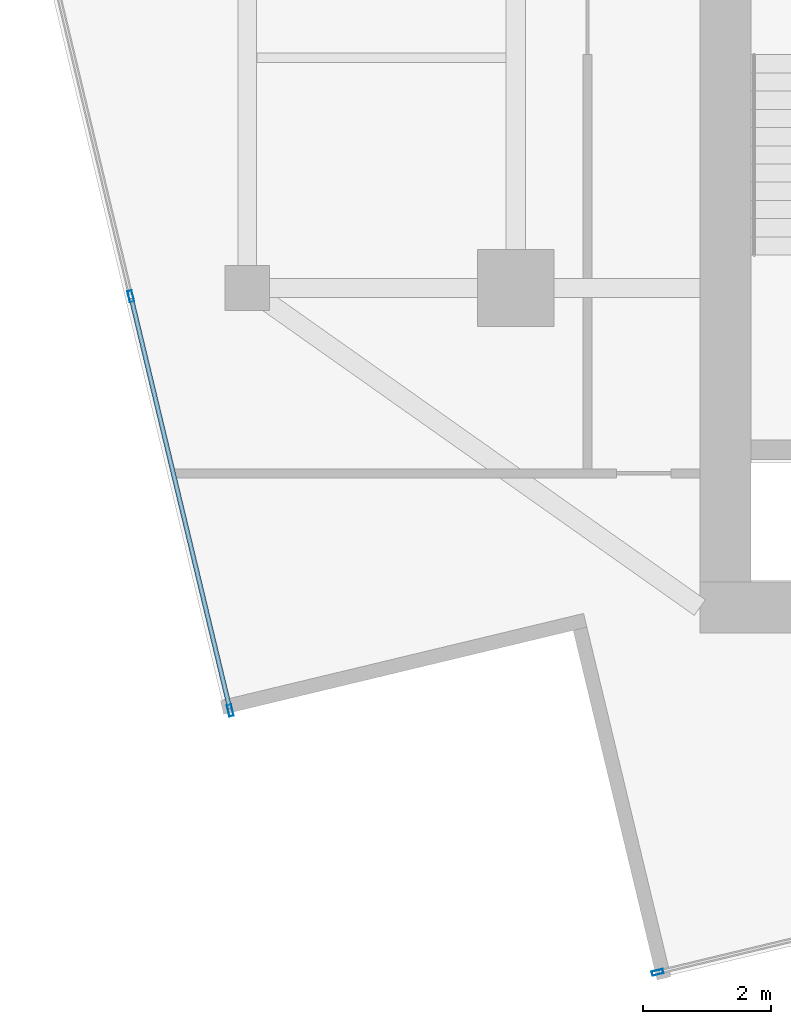
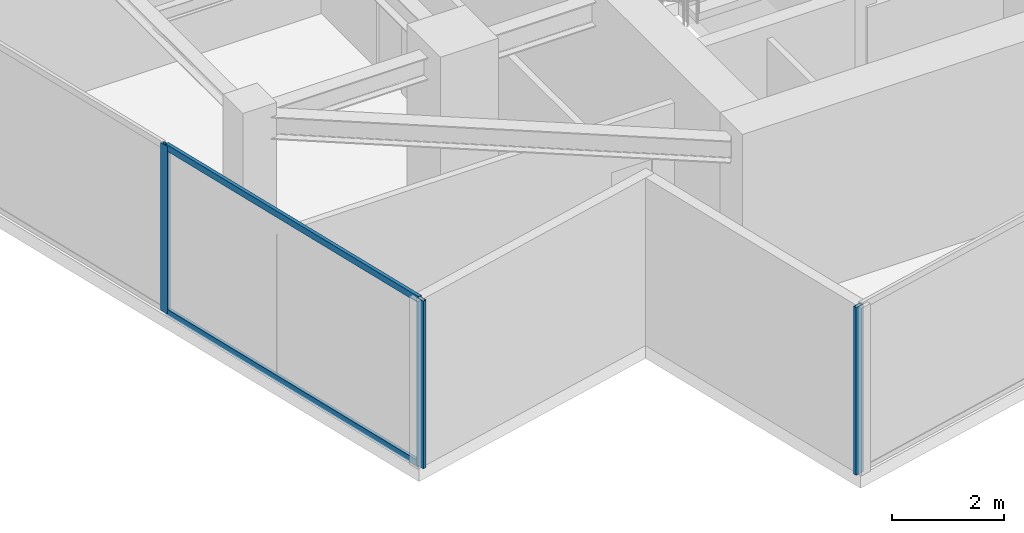
# One storey, part 2 of 22: 5 members, 2 elements without a shape of their own.
"""IFC4 building model written with IfcOpenShell, lengths in metres."""

import ifcopenshell
import ifcopenshell.guid

model = None  # the IFC model being written
_history = None  # IfcOwnerHistory: only IFC2X3 demands one
_inside = {}  # id of a spatial element -> (the spatial element, [elements in it])
_under = {}  # id of a project, library or spatial element -> (it, [spatial elements below it])
_declared = {}  # id of a project -> (the project, [libraries it declares])
_typed = {}  # id of a type object -> (the type object, [elements of that type])
_made_of = {}  # id of a material, layer set ... -> (it, [elements and type objects made of it])


def new_model(schema):
    """Start an empty IFC model of exactly this schema.

    Asked for "IFC4X3", IfcOpenShell would pick the latest addendum, in which some entities
    have other attributes; the version numbers below select the first issue.
    IFC2X3 requires an IfcOwnerHistory on every rooted entity: one is made here for all.
    """
    global model, _history
    if schema == "IFC4X3":
        model = ifcopenshell.file(schema_version=(4, 3, 0, 0))
    else:
        model = ifcopenshell.file(schema=schema)
    _inside.clear()
    _under.clear()
    _declared.clear()
    _typed.clear()
    _made_of.clear()
    _history = None
    if model.schema == "IFC2X3":
        org = make("IfcOrganization", Name="unknown")
        user = make(
            "IfcPersonAndOrganization",
            ThePerson=make("IfcPerson", FamilyName="unknown"),
            TheOrganization=org,
        )
        app = make(
            "IfcApplication",
            ApplicationDeveloper=org,
            Version="unknown",
            ApplicationFullName="unknown",
            ApplicationIdentifier="unknown",
        )
        _history = make(
            "IfcOwnerHistory",
            OwningUser=user,
            OwningApplication=app,
            ChangeAction="ADDED",
            CreationDate=0,
        )
    return model


def make(cls, **values):
    """One entity of the class cls with the attributes given. An attribute that is None is left unset."""
    return model.create_entity(
        cls, **{name: value for name, value in values.items() if value is not None}
    )


def rooted(cls, **values):
    """An entity with a GlobalId (a new one), such as an element, a storey or a relation."""
    return make(cls, GlobalId=ifcopenshell.guid.new(), OwnerHistory=_history, **values)


def si_unit(unit_type, name, prefix=None):
    """IfcSIUnit, for example si_unit("LENGTHUNIT", "METRE", prefix="MILLI")."""
    return make("IfcSIUnit", UnitType=unit_type, Prefix=prefix, Name=name)


def assignment(units):
    """IfcUnitAssignment: the units of a project."""
    return None if units is None else make("IfcUnitAssignment", Units=units)


def point(xyz):
    """IfcCartesianPoint."""
    return None if xyz is None else make("IfcCartesianPoint", Coordinates=xyz)


def direction(xyz):
    """IfcDirection."""
    return None if xyz is None else make("IfcDirection", DirectionRatios=xyz)


def frame(location, z_axis=None, x_axis=None):
    """IfcAxis2Placement3D, a coordinate frame: its origin and axes. An axis left out is left unset."""
    return make(
        "IfcAxis2Placement3D",
        Location=point(location),
        Axis=direction(z_axis),
        RefDirection=direction(x_axis),
    )


def frame_2d(location, x_axis=None):
    """IfcAxis2Placement2D, a coordinate frame in the plane: its origin and x axis."""
    return make(
        "IfcAxis2Placement2D", Location=point(location), RefDirection=direction(x_axis)
    )


def origin():
    """The frame at (0, 0, 0) with its axes left unset."""
    return frame((0.0, 0.0, 0.0))


def origin_2d():
    """The frame at (0, 0) in the plane with its x axis left unset."""
    return frame_2d((0.0, 0.0))


def place(relative_to, where):
    """IfcLocalPlacement: puts the frame where relative to a parent placement (None: the world)."""
    return make(
        "IfcLocalPlacement", PlacementRelTo=relative_to, RelativePlacement=where
    )


def context(
    kind, dimensions, precision=None, world=None, true_north=None, identifier=None
):
    """IfcGeometricRepresentationContext, for example the 3D "Model" context."""
    return make(
        "IfcGeometricRepresentationContext",
        ContextIdentifier=identifier,
        ContextType=kind,
        CoordinateSpaceDimension=dimensions,
        Precision=precision,
        WorldCoordinateSystem=world,
        TrueNorth=true_north,
    )


def subcontext(parent, identifier, kind, view, scale=None):
    """IfcGeometricRepresentationSubContext, for example "Body" below "Model"."""
    return make(
        "IfcGeometricRepresentationSubContext",
        ContextIdentifier=identifier,
        ContextType=kind,
        ParentContext=parent,
        TargetScale=scale,
        TargetView=view,
    )


def project(units=None, contexts=None):
    """IfcProject with its units and contexts."""
    return rooted(
        "IfcProject",
        Name="project",
        RepresentationContexts=contexts,
        UnitsInContext=assignment(units),
    )


def spatial(cls, under=None, at=None, **own):
    """A site, building, storey or space (cls), placed at a placement, below another one or the project."""
    s = rooted(cls, ObjectPlacement=at, **own)
    if under is not None:
        _under.setdefault(under.id(), (under, []))[1].append(s)
    return s


def profile(cls, at=None, kind="AREA", **sizes):
    """A parametric profile (cls). Its sizes go by their IFC names, for example OverallWidth=200.0."""
    return make(cls, ProfileType=kind, Position=at, **sizes)


def hollow_rectangle(**sizes):
    """IfcRectangleHollowProfileDef."""
    return profile("IfcRectangleHollowProfileDef", **sizes)


def extrude(swept, where, along, depth):
    """IfcExtrudedAreaSolid: the profile swept, set in the frame where, extruded along a direction by depth."""
    return make(
        "IfcExtrudedAreaSolid",
        SweptArea=swept,
        Position=where,
        ExtrudedDirection=direction(along),
        Depth=depth,
    )


def shape(context_of_items, identifier, shape_type, items):
    """IfcShapeRepresentation: the items that make up one representation, for example the "Body"."""
    return make(
        "IfcShapeRepresentation",
        ContextOfItems=context_of_items,
        RepresentationIdentifier=identifier,
        RepresentationType=shape_type,
        Items=items,
    )


def source(mapping_origin, context_of_items, identifier, shape_type, items):
    """IfcRepresentationMap: a shape defined once, which mapped items show again and again."""
    return make(
        "IfcRepresentationMap",
        MappingOrigin=mapping_origin,
        MappedRepresentation=shape(context_of_items, identifier, shape_type, items),
    )


def transform(
    local_origin,
    x_axis=None,
    y_axis=None,
    z_axis=None,
    scale=None,
    scale2=None,
    scale3=None,
    uniform=True,
):
    """IfcCartesianTransformationOperator3D, or its non-uniform kind. x_axis, y_axis, z_axis: its Axis1, 2, 3."""
    if uniform:
        return make(
            "IfcCartesianTransformationOperator3D",
            Axis1=direction(x_axis),
            Axis2=direction(y_axis),
            LocalOrigin=point(local_origin),
            Scale=scale,
            Axis3=direction(z_axis),
        )
    return make(
        "IfcCartesianTransformationOperator3DnonUniform",
        Axis1=direction(x_axis),
        Axis2=direction(y_axis),
        LocalOrigin=point(local_origin),
        Scale=scale,
        Axis3=direction(z_axis),
        Scale2=scale2,
        Scale3=scale3,
    )


def mapped(mapping_source, mapping_target):
    """IfcMappedItem: shows the shape of a source again, moved by a transform."""
    return make(
        "IfcMappedItem", MappingSource=mapping_source, MappingTarget=mapping_target
    )


def material(Name=None, Category=None):
    """IfcMaterial."""
    return make("IfcMaterial", Name=Name, Category=Category)


def material_profile(
    of_material, cross_section, Name=None, Category=None, Priority=None
):
    """IfcMaterialProfile: a cross section and its material."""
    return make(
        "IfcMaterialProfile",
        Name=Name,
        Material=of_material,
        Profile=cross_section,
        Priority=Priority,
        Category=Category,
    )


def profile_set(profiles, Name=None, composite=None):
    """IfcMaterialProfileSet."""
    return make(
        "IfcMaterialProfileSet",
        Name=Name,
        MaterialProfiles=profiles,
        CompositeProfile=composite,
    )


def made_of(thing, what):
    """Note that an element or type object is made of a material, layer set ...; save() writes the relation."""
    if what is not None:
        _made_of.setdefault(what.id(), (what, []))[1].append(thing)
    return thing


def type_object(cls, material=None, **own):
    """A type object (cls), such as IfcWallType, which elements share."""
    return made_of(rooted(cls, **own), material)


def type_shapes(of_type, sources):
    """Give a type object the sources (RepresentationMaps) that its elements show as mapped items."""
    of_type.RepresentationMaps = sources


def element(
    cls,
    number,
    at=None,
    inside=None,
    cuts=None,
    type_object=None,
    material=None,
    context=None,
    identifier="Body",
    shape_type=None,
    held_by="IfcProductDefinitionShape",
    body=None,
    shapes=None,
    **own,
):
    """One element of the class cls, such as IfcWall. Its Tag is "e" and its number.

    at: its placement. inside: the storey or other place that contains it. cuts: it is an
    opening in that element (IfcRelVoidsElement). A single representation is given by context,
    identifier, shape_type and body (its items); several are given by shapes. held_by: the class
    of the entity that holds the representations. save() writes the other relations.
    """
    e = rooted(cls, Tag="e%d" % number, ObjectPlacement=at, **own)
    if body is not None:
        shapes = [shape(context, identifier, shape_type, body)]
    if shapes is not None:
        e.Representation = make(held_by, Representations=shapes)
    if inside is not None:
        _inside.setdefault(inside.id(), (inside, []))[1].append(e)
    if cuts is not None:
        rooted(
            "IfcRelVoidsElement", RelatingBuildingElement=cuts, RelatedOpeningElement=e
        )
    if type_object is not None:
        _typed.setdefault(type_object.id(), (type_object, []))[1].append(e)
    return made_of(e, material)


def aggregate(whole, parts):
    """IfcRelAggregates: a whole, such as a stair, and the parts it consists of."""
    return rooted("IfcRelAggregates", RelatingObject=whole, RelatedObjects=parts)


def save(model, path):
    """Write the relations noted so far, then the file.

    IfcRelAggregates (storeys below a building ...), IfcRelContainedInSpatialStructure (elements
    in a storey), IfcRelDefinesByType, IfcRelAssociatesMaterial and IfcRelDeclares: one each for
    every whole, place, type object, material and project.
    """
    for whole, parts in _under.values():
        aggregate(whole, parts)
    for where, things in _inside.values():
        rooted(
            "IfcRelContainedInSpatialStructure",
            RelatedElements=things,
            RelatingStructure=where,
        )
    for kind, things in _typed.values():
        rooted("IfcRelDefinesByType", RelatedObjects=things, RelatingType=kind)
    for what, things in _made_of.values():
        rooted("IfcRelAssociatesMaterial", RelatedObjects=things, RelatingMaterial=what)
    for by, libraries in _declared.values():
        rooted("IfcRelDeclares", RelatingContext=by, RelatedDefinitions=libraries)
    model.write(path)


model = new_model("IFC4")

# Units and contexts
model_context = context("Model", 3, precision=1e-05, world=origin(), true_north=direction((0.0, 1.0)))
body_context = subcontext(model_context, "Body", "Model", "MODEL_VIEW")
ifc_project = project(units=[si_unit("LENGTHUNIT", "METRE"), si_unit("AREAUNIT", "SQUARE_METRE"), si_unit("VOLUMEUNIT", "CUBIC_METRE"), si_unit("PLANEANGLEUNIT", "RADIAN"), si_unit("MASSUNIT", "GRAM", prefix="KILO")], contexts=[model_context])

# Site, building, storey
site_placement = place(None, origin())
site = spatial("IfcSite", under=ifc_project, at=site_placement, CompositionType="ELEMENT")
building_placement = place(site_placement, origin())
building = spatial("IfcBuilding", under=site, at=building_placement, Name="Krantzveldt Concourse Tower", CompositionType="ELEMENT")
storey_placement = place(building_placement, frame((0.0, 0.0, 355.35009765625)))
storey = spatial("IfcBuildingStorey", under=building, at=storey_placement, Name="L87", CompositionType="ELEMENT", Elevation=355.35009765625)

# Curtain wall, members
ifc_material = material(Name="Anodised aluminium 6063-T6", Category="aluminium")
curtain_wall_type = type_object("IfcCurtainWallType", Name="CW4", PredefinedType="USERDEFINED", material=ifc_material)
curtain_wall_1_placement = place(storey_placement, origin())
curtain_wall_1 = element("IfcCurtainWall", 1, at=curtain_wall_1_placement, inside=storey, type_object=curtain_wall_type, Name="CW-L87-F04", ObjectType="UNITISED CURTAIN WALL", PredefinedType="USERDEFINED")
ifc_material_profile_1 = material_profile(ifc_material, hollow_rectangle(XDim=0.070068359375, YDim=0.179931640625, WallThickness=0.0048828125, at=origin_2d()), Name="Anodised aluminium 6063-T6", Category="aluminium")
ifc_profile_set_1 = profile_set([ifc_material_profile_1], Name="Anodised aluminium 6063-T6 - ALU-MULL 180x70x5")
member_type_1 = type_object("IfcMemberType", Name="CW-MUL-180", PredefinedType="MULLION", material=ifc_profile_set_1)
shared_shape_1 = source(origin(), body_context, "Body", "SweptSolid", [
    extrude(hollow_rectangle(XDim=0.070068359375, YDim=0.179931640625, WallThickness=0.0048828125, at=origin_2d()), origin(), (0.0, 0.0, 1.0), 3.669921875),
])
type_shapes(member_type_1, [shared_shape_1])
member_1_placement = place(storey_placement, frame((19.176513671875, 15.770751953125, 0.0), z_axis=(0.0, 0.0, 1.0), x_axis=(0.972369896884, 0.233445461796, 0.0)))
member_1 = element("IfcMember", 2, at=member_1_placement, type_object=member_type_1, Name="CW-Z56 mullion 4", PredefinedType="MULLION", context=body_context, shape_type="MappedRepresentation", body=[
    mapped(shared_shape_1, transform((0.0, 0.0, 0.0), x_axis=(1.0, 0.0, 0.0), y_axis=(0.0, 1.0, 0.0), z_axis=(0.0, 0.0, 1.0), scale=1.0)),
])
member_2_placement = place(storey_placement, frame((20.732421875, 9.289794921875, 0.0), z_axis=(0.0, 0.0, 1.0), x_axis=(0.972369896884, 0.233445461796, 0.0)))
member_2 = element("IfcMember", 3, at=member_2_placement, type_object=member_type_1, Name="CW-Z56 mullion 5", PredefinedType="MULLION", context=body_context, shape_type="MappedRepresentation", body=[
    mapped(shared_shape_1, transform((0.0, 0.0, 0.0), x_axis=(1.0, 0.0, 0.0), y_axis=(0.0, 1.0, 0.0), z_axis=(0.0, 0.0, 1.0), scale=1.0)),
])

# Curtain wall, member
curtain_wall_2_placement = place(storey_placement, origin())
curtain_wall_2 = element("IfcCurtainWall", 4, at=curtain_wall_2_placement, inside=storey, type_object=curtain_wall_type, Name="CW-L87-F07", ObjectType="UNITISED CURTAIN WALL", PredefinedType="USERDEFINED")
member_3_placement = place(storey_placement, frame((27.418701171875, 5.1923828125, 0.0), z_axis=(0.0, 0.0, 1.0), x_axis=(-0.233445461796, 0.972369896884, 0.0)))
member_3 = element("IfcMember", 5, at=member_3_placement, type_object=member_type_1, Name="CW-Z56 mullion 1", PredefinedType="MULLION", context=body_context, shape_type="MappedRepresentation", body=[
    mapped(shared_shape_1, transform((0.0, 0.0, 0.0), x_axis=(1.0, 0.0, 0.0), y_axis=(0.0, 1.0, 0.0), z_axis=(0.0, 0.0, 1.0), scale=1.0)),
])
aggregate(curtain_wall_2, [member_3])

# Member
ifc_material_profile_2 = material_profile(ifc_material, hollow_rectangle(XDim=0.070068359375, YDim=0.139892578125, WallThickness=0.0048828125, at=origin_2d()), Name="Anodised aluminium 6063-T6", Category="aluminium")
ifc_profile_set_2 = profile_set([ifc_material_profile_2], Name="Anodised aluminium 6063-T6 - ALU-TRAN 140x70x5")
member_type_2 = type_object("IfcMemberType", Name="CW-TRN-150", PredefinedType="USERDEFINED", material=ifc_profile_set_2)
shared_shape_2 = source(origin(), body_context, "Body", "SweptSolid", [
    extrude(hollow_rectangle(XDim=0.070068359375, YDim=0.139892578125, WallThickness=0.0048828125, at=origin_2d()), origin(), (0.0, 0.0, 1.0), 6.5947265625),
])
type_shapes(member_type_2, [shared_shape_2])
member_4_placement = place(storey_placement, frame((19.184814453125, 15.736572265625, 0.034912109375), z_axis=(0.233448560082, -0.972369153046, 0.0), x_axis=(0.972369153046, 0.233448560082, 0.0)))
member_4 = element("IfcMember", 6, at=member_4_placement, type_object=member_type_2, Name="CW-Z56 transom 4.1", ObjectType="TRANSOM", PredefinedType="USERDEFINED", context=body_context, shape_type="MappedRepresentation", body=[
    mapped(shared_shape_2, transform((0.0, 0.0, 0.0), x_axis=(1.0, 0.0, 0.0), y_axis=(0.0, 1.0, 0.0), z_axis=(0.0, 0.0, 1.0), scale=1.0)),
])

member_5_placement = place(storey_placement, frame((19.184814453125, 15.736572265625, 3.635009765625), z_axis=(0.233448560082, -0.972369153046, 0.0), x_axis=(0.972369153046, 0.233448560082, 0.0)))
member_5 = element("IfcMember", 7, at=member_5_placement, type_object=member_type_2, Name="CW-Z56 transom 4.2", ObjectType="TRANSOM", PredefinedType="USERDEFINED", context=body_context, shape_type="MappedRepresentation", body=[
    mapped(shared_shape_2, transform((0.0, 0.0, 0.0), x_axis=(1.0, 0.0, 0.0), y_axis=(0.0, 1.0, 0.0), z_axis=(0.0, 0.0, 1.0), scale=1.0)),
])

aggregate(curtain_wall_1, [member_1, member_2, member_4, member_5])

save(model, "model.ifc")
